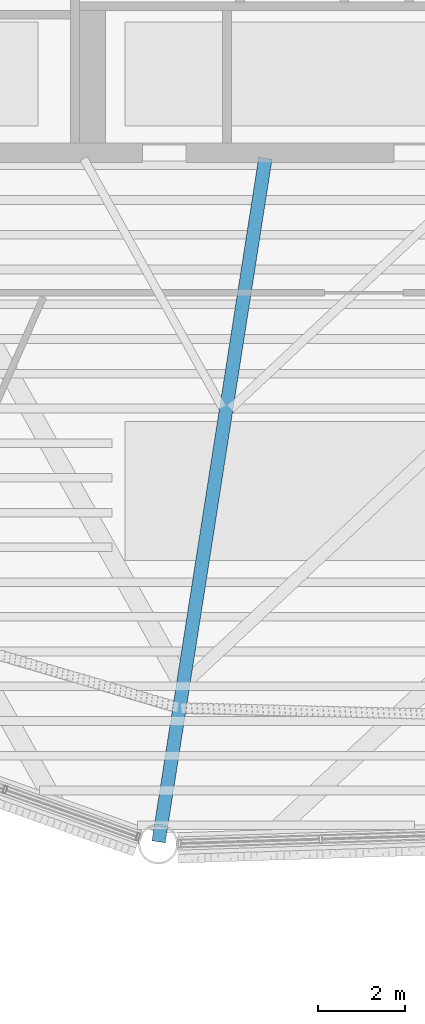
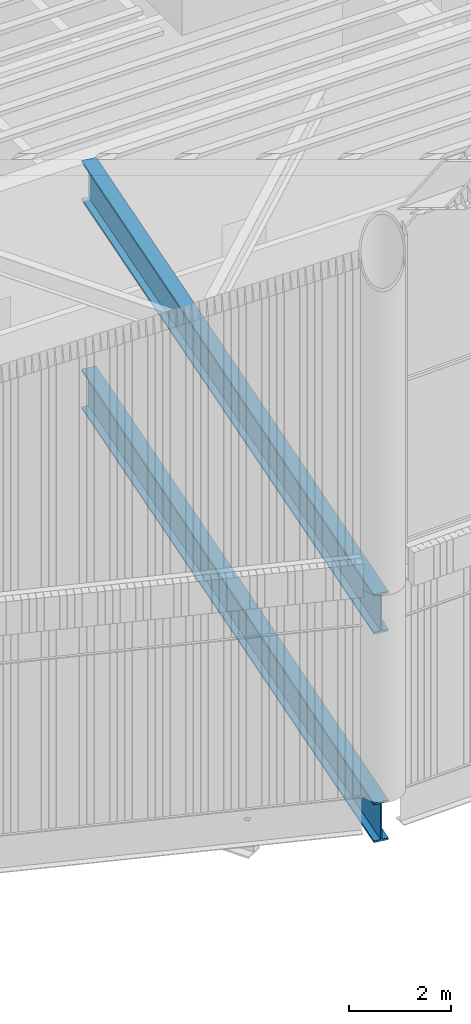
# One storey, part 27 of 117: 2 beams.
"""IFC4 building model written with IfcOpenShell, lengths in metres."""

import ifcopenshell
import ifcopenshell.guid

model = None  # the IFC model being written
_history = None  # IfcOwnerHistory: only IFC2X3 demands one
_inside = {}  # id of a spatial element -> (the spatial element, [elements in it])
_under = {}  # id of a project, library or spatial element -> (it, [spatial elements below it])
_declared = {}  # id of a project -> (the project, [libraries it declares])
_typed = {}  # id of a type object -> (the type object, [elements of that type])
_made_of = {}  # id of a material, layer set ... -> (it, [elements and type objects made of it])


def new_model(schema):
    """Start an empty IFC model of exactly this schema.

    Asked for "IFC4X3", IfcOpenShell would pick the latest addendum, in which some entities
    have other attributes; the version numbers below select the first issue.
    IFC2X3 requires an IfcOwnerHistory on every rooted entity: one is made here for all.
    """
    global model, _history
    if schema == "IFC4X3":
        model = ifcopenshell.file(schema_version=(4, 3, 0, 0))
    else:
        model = ifcopenshell.file(schema=schema)
    _inside.clear()
    _under.clear()
    _declared.clear()
    _typed.clear()
    _made_of.clear()
    _history = None
    if model.schema == "IFC2X3":
        org = make("IfcOrganization", Name="unknown")
        user = make(
            "IfcPersonAndOrganization",
            ThePerson=make("IfcPerson", FamilyName="unknown"),
            TheOrganization=org,
        )
        app = make(
            "IfcApplication",
            ApplicationDeveloper=org,
            Version="unknown",
            ApplicationFullName="unknown",
            ApplicationIdentifier="unknown",
        )
        _history = make(
            "IfcOwnerHistory",
            OwningUser=user,
            OwningApplication=app,
            ChangeAction="ADDED",
            CreationDate=0,
        )
    return model


def make(cls, **values):
    """One entity of the class cls with the attributes given. An attribute that is None is left unset."""
    return model.create_entity(
        cls, **{name: value for name, value in values.items() if value is not None}
    )


def rooted(cls, **values):
    """An entity with a GlobalId (a new one), such as an element, a storey or a relation."""
    return make(cls, GlobalId=ifcopenshell.guid.new(), OwnerHistory=_history, **values)


def si_unit(unit_type, name, prefix=None):
    """IfcSIUnit, for example si_unit("LENGTHUNIT", "METRE", prefix="MILLI")."""
    return make("IfcSIUnit", UnitType=unit_type, Prefix=prefix, Name=name)


def assignment(units):
    """IfcUnitAssignment: the units of a project."""
    return None if units is None else make("IfcUnitAssignment", Units=units)


def point(xyz):
    """IfcCartesianPoint."""
    return None if xyz is None else make("IfcCartesianPoint", Coordinates=xyz)


def direction(xyz):
    """IfcDirection."""
    return None if xyz is None else make("IfcDirection", DirectionRatios=xyz)


def frame(location, z_axis=None, x_axis=None):
    """IfcAxis2Placement3D, a coordinate frame: its origin and axes. An axis left out is left unset."""
    return make(
        "IfcAxis2Placement3D",
        Location=point(location),
        Axis=direction(z_axis),
        RefDirection=direction(x_axis),
    )


def frame_2d(location, x_axis=None):
    """IfcAxis2Placement2D, a coordinate frame in the plane: its origin and x axis."""
    return make(
        "IfcAxis2Placement2D", Location=point(location), RefDirection=direction(x_axis)
    )


def origin():
    """The frame at (0, 0, 0) with its axes left unset."""
    return frame((0.0, 0.0, 0.0))


def origin_2d():
    """The frame at (0, 0) in the plane with its x axis left unset."""
    return frame_2d((0.0, 0.0))


def place(relative_to, where):
    """IfcLocalPlacement: puts the frame where relative to a parent placement (None: the world)."""
    return make(
        "IfcLocalPlacement", PlacementRelTo=relative_to, RelativePlacement=where
    )


def context(
    kind, dimensions, precision=None, world=None, true_north=None, identifier=None
):
    """IfcGeometricRepresentationContext, for example the 3D "Model" context."""
    return make(
        "IfcGeometricRepresentationContext",
        ContextIdentifier=identifier,
        ContextType=kind,
        CoordinateSpaceDimension=dimensions,
        Precision=precision,
        WorldCoordinateSystem=world,
        TrueNorth=true_north,
    )


def subcontext(parent, identifier, kind, view, scale=None):
    """IfcGeometricRepresentationSubContext, for example "Body" below "Model"."""
    return make(
        "IfcGeometricRepresentationSubContext",
        ContextIdentifier=identifier,
        ContextType=kind,
        ParentContext=parent,
        TargetScale=scale,
        TargetView=view,
    )


def project(units=None, contexts=None):
    """IfcProject with its units and contexts."""
    return rooted(
        "IfcProject",
        Name="project",
        RepresentationContexts=contexts,
        UnitsInContext=assignment(units),
    )


def spatial(cls, under=None, at=None, **own):
    """A site, building, storey or space (cls), placed at a placement, below another one or the project."""
    s = rooted(cls, ObjectPlacement=at, **own)
    if under is not None:
        _under.setdefault(under.id(), (under, []))[1].append(s)
    return s


def profile(cls, at=None, kind="AREA", **sizes):
    """A parametric profile (cls). Its sizes go by their IFC names, for example OverallWidth=200.0."""
    return make(cls, ProfileType=kind, Position=at, **sizes)


def i_section(**sizes):
    """IfcIShapeProfileDef."""
    return profile("IfcIShapeProfileDef", **sizes)


def extrude(swept, where, along, depth):
    """IfcExtrudedAreaSolid: the profile swept, set in the frame where, extruded along a direction by depth."""
    return make(
        "IfcExtrudedAreaSolid",
        SweptArea=swept,
        Position=where,
        ExtrudedDirection=direction(along),
        Depth=depth,
    )


def shape(context_of_items, identifier, shape_type, items):
    """IfcShapeRepresentation: the items that make up one representation, for example the "Body"."""
    return make(
        "IfcShapeRepresentation",
        ContextOfItems=context_of_items,
        RepresentationIdentifier=identifier,
        RepresentationType=shape_type,
        Items=items,
    )


def material(Name=None, Category=None):
    """IfcMaterial."""
    return make("IfcMaterial", Name=Name, Category=Category)


def material_profile(
    of_material, cross_section, Name=None, Category=None, Priority=None
):
    """IfcMaterialProfile: a cross section and its material."""
    return make(
        "IfcMaterialProfile",
        Name=Name,
        Material=of_material,
        Profile=cross_section,
        Priority=Priority,
        Category=Category,
    )


def profile_set(profiles, Name=None, composite=None):
    """IfcMaterialProfileSet."""
    return make(
        "IfcMaterialProfileSet",
        Name=Name,
        MaterialProfiles=profiles,
        CompositeProfile=composite,
    )


def made_of(thing, what):
    """Note that an element or type object is made of a material, layer set ...; save() writes the relation."""
    if what is not None:
        _made_of.setdefault(what.id(), (what, []))[1].append(thing)
    return thing


def type_object(cls, material=None, **own):
    """A type object (cls), such as IfcWallType, which elements share."""
    return made_of(rooted(cls, **own), material)


def element(
    cls,
    number,
    at=None,
    inside=None,
    cuts=None,
    type_object=None,
    material=None,
    context=None,
    identifier="Body",
    shape_type=None,
    held_by="IfcProductDefinitionShape",
    body=None,
    shapes=None,
    **own,
):
    """One element of the class cls, such as IfcWall. Its Tag is "e" and its number.

    at: its placement. inside: the storey or other place that contains it. cuts: it is an
    opening in that element (IfcRelVoidsElement). A single representation is given by context,
    identifier, shape_type and body (its items); several are given by shapes. held_by: the class
    of the entity that holds the representations. save() writes the other relations.
    """
    e = rooted(cls, Tag="e%d" % number, ObjectPlacement=at, **own)
    if body is not None:
        shapes = [shape(context, identifier, shape_type, body)]
    if shapes is not None:
        e.Representation = make(held_by, Representations=shapes)
    if inside is not None:
        _inside.setdefault(inside.id(), (inside, []))[1].append(e)
    if cuts is not None:
        rooted(
            "IfcRelVoidsElement", RelatingBuildingElement=cuts, RelatedOpeningElement=e
        )
    if type_object is not None:
        _typed.setdefault(type_object.id(), (type_object, []))[1].append(e)
    return made_of(e, material)


def aggregate(whole, parts):
    """IfcRelAggregates: a whole, such as a stair, and the parts it consists of."""
    return rooted("IfcRelAggregates", RelatingObject=whole, RelatedObjects=parts)


def save(model, path):
    """Write the relations noted so far, then the file.

    IfcRelAggregates (storeys below a building ...), IfcRelContainedInSpatialStructure (elements
    in a storey), IfcRelDefinesByType, IfcRelAssociatesMaterial and IfcRelDeclares: one each for
    every whole, place, type object, material and project.
    """
    for whole, parts in _under.values():
        aggregate(whole, parts)
    for where, things in _inside.values():
        rooted(
            "IfcRelContainedInSpatialStructure",
            RelatedElements=things,
            RelatingStructure=where,
        )
    for kind, things in _typed.values():
        rooted("IfcRelDefinesByType", RelatedObjects=things, RelatingType=kind)
    for what, things in _made_of.values():
        rooted("IfcRelAssociatesMaterial", RelatedObjects=things, RelatingMaterial=what)
    for by, libraries in _declared.values():
        rooted("IfcRelDeclares", RelatingContext=by, RelatedDefinitions=libraries)
    model.write(path)


model = new_model("IFC4")

# Units and contexts
model_context = context("Model", 3, precision=1e-05, world=origin(), true_north=direction((0.0, 1.0)))
body_context = subcontext(model_context, "Body", "Model", "MODEL_VIEW")
ifc_project = project(units=[si_unit("LENGTHUNIT", "METRE"), si_unit("AREAUNIT", "SQUARE_METRE"), si_unit("VOLUMEUNIT", "CUBIC_METRE"), si_unit("PLANEANGLEUNIT", "RADIAN"), si_unit("MASSUNIT", "GRAM", prefix="KILO")], contexts=[model_context])

# Site, building, storey
site_placement = place(None, origin())
site = spatial("IfcSite", under=ifc_project, at=site_placement, CompositionType="ELEMENT")
building_placement = place(site_placement, origin())
building = spatial("IfcBuilding", under=site, at=building_placement, Name="Tarsis Ring Headquarters", CompositionType="ELEMENT")
storey_placement = place(building_placement, frame((0.0, 0.0, 403.60009765625)))
storey = spatial("IfcBuildingStorey", under=building, at=storey_placement, Name="L95", CompositionType="ELEMENT", Elevation=403.60009765625)

# Beams
ifc_material = material(Name="Structural steel S355", Category="steel")
ifc_material_profile = material_profile(ifc_material, i_section(OverallWidth=0.309814453125, OverallDepth=0.949951171875, WebThickness=0.0244140625, FlangeThickness=0.0439453125, at=origin_2d()), Name="W36x256")
ifc_profile_set = profile_set([ifc_material_profile], Name="Structural steel S355")
beam_type = type_object("IfcBeamType", Name="FB Floor beam W36x256 spine", PredefinedType="BEAM", material=ifc_profile_set)
for number, where, z_axis, x_axis, name in (
    (1, (-2.015625, -12.901123046875, -0.775146484375), (-0.154366131311, -0.988013713217, 0.0), (0.988013713217, -0.154366131311, 0.0), "Floor beam SB11"),
    (2, (-2.015625, -12.901123046875, 4.224853515625), (-0.154366131311, -0.988013713217, 0.0), (0.988013713217, -0.154366131311, 0.0), "Floor beam SB11"),
):
    element("IfcBeam", number, at=place(storey_placement, frame(where, z_axis=z_axis, x_axis=x_axis)), inside=storey, type_object=beam_type, Name=name, PredefinedType="BEAM", context=body_context, shape_type="SweptSolid", body=[
        extrude(i_section(OverallWidth=0.309814453125, OverallDepth=0.949951171875, WebThickness=0.0244140625, FlangeThickness=0.0439453125, at=origin_2d()), origin(), (0.0, 0.0, 1.0), 15.935791015625),
    ])

save(model, "model.ifc")
